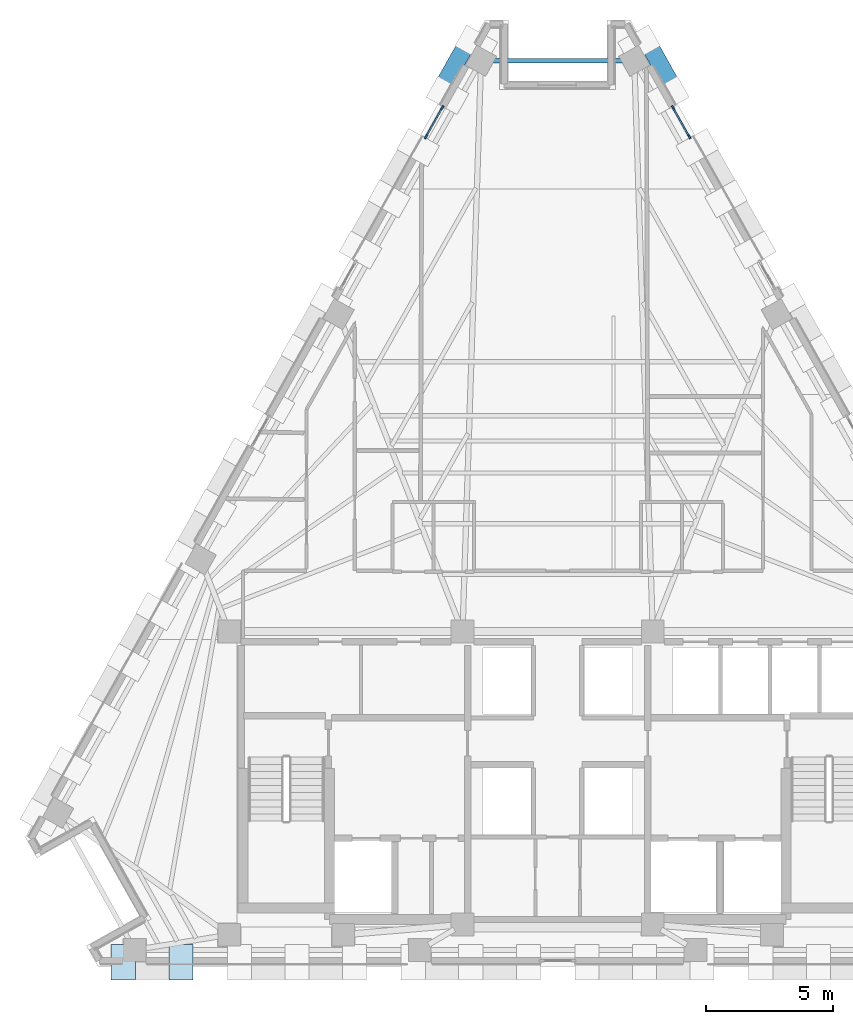
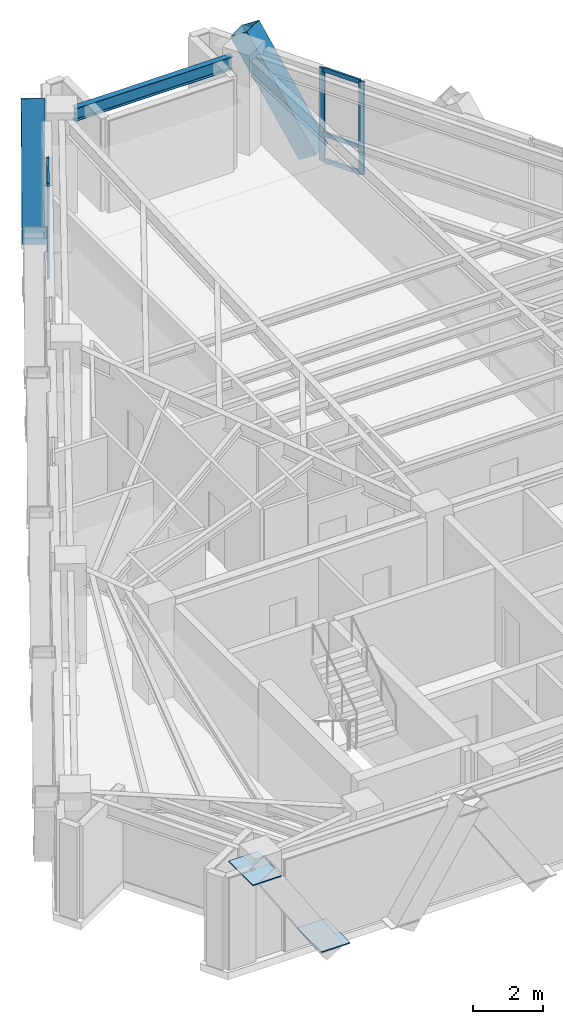
# One storey, part 5 of 12: 12 members, 2 plates, 1 beam, 2 elements without a shape of their own.
"""IFC4 building model written with IfcOpenShell, lengths in metres."""

from ifc_helpers import new_model, si_unit, direction, frame, origin, origin_2d, place, context, subcontext, project, spatial, rectangle, hollow_rectangle, i_section, extrude, material, layer, layer_set, material_profile, profile_set, type_object, element, aggregate, save


model = new_model("IFC4")

# Units and contexts
model_context = context("Model", 3, precision=1e-05, world=origin(), true_north=direction((0.0, 1.0)))
body_context = subcontext(model_context, "Body", "Model", "MODEL_VIEW")
ifc_project = project(units=[si_unit("LENGTHUNIT", "METRE"), si_unit("AREAUNIT", "SQUARE_METRE"), si_unit("VOLUMEUNIT", "CUBIC_METRE"), si_unit("PLANEANGLEUNIT", "RADIAN"), si_unit("MASSUNIT", "GRAM", prefix="KILO")], contexts=[model_context])

# Site, building, storey
site_placement = place(None, origin())
site = spatial("IfcSite", under=ifc_project, at=site_placement, CompositionType="ELEMENT")
building_placement = place(site_placement, origin())
building = spatial("IfcBuilding", under=site, at=building_placement, Name="Quenlor Broadcast Tower", CompositionType="ELEMENT")
storey_placement = place(building_placement, frame((0.0, 0.0, 186.89990234375)))
storey = spatial("IfcBuildingStorey", under=building, at=storey_placement, Name="L51", CompositionType="ELEMENT", Elevation=186.89990234375)

# Curtain wall, members
ifc_material_1 = material(Name="Architectural Terracotta and Low-E Glazing", Category="masonry")
curtain_wall_type = type_object("IfcCurtainWallType", Name="Unitised Terracotta Curtain Wall System Z4", PredefinedType="NOTDEFINED", material=ifc_material_1)
curtain_wall_1_placement = place(storey_placement, origin())
curtain_wall_1 = element("IfcCurtainWall", 1, at=curtain_wall_1_placement, inside=storey, type_object=curtain_wall_type, Name="L51 Curtain Wall CW4 (L51-NEA-G1)", PredefinedType="NOTDEFINED")
ifc_material_2 = material(Name="Aluminium 6063-T6", Category="aluminium")
ifc_material_profile_1 = material_profile(ifc_material_2, rectangle(XDim=0.068115234375, YDim=0.179931640625, at=origin_2d()))
ifc_profile_set_1 = profile_set([ifc_material_profile_1], Name="Aluminium 6063-T6 MULL68x180")
member_type_1 = type_object("IfcMemberType", Name="CW4 Aluminium Mullion MULL_CW4", PredefinedType="MULLION", material=ifc_profile_set_1)
member_1_placement = place(storey_placement, frame((4.550048828125, 15.85205078125, 0.0), z_axis=(0.0, 0.0, 1.0), x_axis=(0.871560008943, 0.490288844266, 0.0)))
member_1 = element("IfcMember", 2, at=member_1_placement, type_object=member_type_1, Name="CW4 mullion 1", PredefinedType="MULLION", context=body_context, shape_type="SweptSolid", body=[
    extrude(rectangle(XDim=0.068115234375, YDim=0.179931640625, at=origin_2d()), origin(), (0.0, 0.0, 1.0), 3.25),
])
member_2_placement = place(storey_placement, frame((5.19140625, 14.7119140625, 0.0), z_axis=(0.0, 0.0, 1.0), x_axis=(0.871560008943, 0.490288844266, 0.0)))
member_2 = element("IfcMember", 3, at=member_2_placement, type_object=member_type_1, Name="CW4 mullion 2", PredefinedType="MULLION", context=body_context, shape_type="SweptSolid", body=[
    extrude(rectangle(XDim=0.068115234375, YDim=0.179931640625, at=origin_2d()), origin(), (0.0, 0.0, 1.0), 3.25),
])

curtain_wall_2_placement = place(storey_placement, origin())
curtain_wall_2 = element("IfcCurtainWall", 4, at=curtain_wall_2_placement, inside=storey, type_object=curtain_wall_type, Name="L51 Curtain Wall CW4 (L51-NWC-G2)", PredefinedType="NOTDEFINED")
member_3_placement = place(storey_placement, frame((-5.19140625, 14.7119140625, 0.0), z_axis=(0.0, 0.0, 1.0), x_axis=(-0.871560008943, 0.490288844266, 0.0)))
member_3 = element("IfcMember", 5, at=member_3_placement, type_object=member_type_1, Name="CW4 mullion 1", PredefinedType="MULLION", context=body_context, shape_type="SweptSolid", body=[
    extrude(rectangle(XDim=0.068115234375, YDim=0.179931640625, at=origin_2d()), origin(), (0.0, 0.0, 1.0), 3.25),
])
member_4_placement = place(storey_placement, frame((-4.550048828125, 15.85205078125, 0.0), z_axis=(0.0, 0.0, 1.0), x_axis=(-0.871560008943, 0.490288844266, 0.0)))
member_4 = element("IfcMember", 6, at=member_4_placement, type_object=member_type_1, Name="CW4 mullion 2", PredefinedType="MULLION", context=body_context, shape_type="SweptSolid", body=[
    extrude(rectangle(XDim=0.068115234375, YDim=0.179931640625, at=origin_2d()), origin(), (0.0, 0.0, 1.0), 3.25),
])

# Member
ifc_material_3 = material(Name="Aluminium 6063-T6", Category="aluminium")
ifc_material_profile_2 = material_profile(ifc_material_3, rectangle(XDim=0.068115234375, YDim=0.14990234375, at=origin_2d()))
ifc_profile_set_2 = profile_set([ifc_material_profile_2], Name="Aluminium 6063-T6 TRAN68x150")
member_type_2 = type_object("IfcMemberType", Name="CW4 Aluminium Transom TRAN_CW4", PredefinedType="USERDEFINED", material=ifc_profile_set_2)
member_5_placement = place(storey_placement, frame((4.566650390625, 15.822265625, 0.0341796875), z_axis=(0.490317332982, -0.871543982239, 0.0), x_axis=(0.871543982239, 0.490317332982, 0.0)))
member_5 = element("IfcMember", 7, at=member_5_placement, type_object=member_type_2, Name="CW4 transom 1.1", ObjectType="TRANSOM", PredefinedType="USERDEFINED", context=body_context, shape_type="SweptSolid", body=[
    extrude(rectangle(XDim=0.068115234375, YDim=0.14990234375, at=origin_2d()), origin(), (0.0, 0.0, 1.0), 1.23974609375),
])

member_6_placement = place(storey_placement, frame((4.566650390625, 15.822265625, 0.9501953125), z_axis=(0.490317332982, -0.871543982239, 0.0), x_axis=(0.871543982239, 0.490317332982, 0.0)))
member_6 = element("IfcMember", 8, at=member_6_placement, type_object=member_type_2, Name="CW4 transom 1.2", ObjectType="TRANSOM", PredefinedType="USERDEFINED", context=body_context, shape_type="SweptSolid", body=[
    extrude(rectangle(XDim=0.068115234375, YDim=0.14990234375, at=origin_2d()), origin(), (0.0, 0.0, 1.0), 1.23974609375),
])

member_7_placement = place(storey_placement, frame((4.566650390625, 15.822265625, 3.216064453125), z_axis=(0.490317332982, -0.871543982239, 0.0), x_axis=(0.871543982239, 0.490317332982, 0.0)))
member_7 = element("IfcMember", 9, at=member_7_placement, type_object=member_type_2, Name="CW4 transom 1.3", ObjectType="TRANSOM", PredefinedType="USERDEFINED", context=body_context, shape_type="SweptSolid", body=[
    extrude(rectangle(XDim=0.068115234375, YDim=0.14990234375, at=origin_2d()), origin(), (0.0, 0.0, 1.0), 1.23974609375),
])

aggregate(curtain_wall_1, [member_1, member_2, member_5, member_6, member_7])

member_8_placement = place(storey_placement, frame((-5.174560546875, 14.74169921875, 0.0341796875), z_axis=(0.490317332982, 0.871543982239, 0.0), x_axis=(-0.871543982239, 0.490317332982, 0.0)))
member_8 = element("IfcMember", 10, at=member_8_placement, type_object=member_type_2, Name="CW4 transom 1.1", ObjectType="TRANSOM", PredefinedType="USERDEFINED", context=body_context, shape_type="SweptSolid", body=[
    extrude(rectangle(XDim=0.068115234375, YDim=0.14990234375, at=origin_2d()), origin(), (0.0, 0.0, 1.0), 1.23974609375),
])

member_9_placement = place(storey_placement, frame((-5.174560546875, 14.74169921875, 0.9501953125), z_axis=(0.490317332982, 0.871543982239, 0.0), x_axis=(-0.871543982239, 0.490317332982, 0.0)))
member_9 = element("IfcMember", 11, at=member_9_placement, type_object=member_type_2, Name="CW4 transom 1.2", ObjectType="TRANSOM", PredefinedType="USERDEFINED", context=body_context, shape_type="SweptSolid", body=[
    extrude(rectangle(XDim=0.068115234375, YDim=0.14990234375, at=origin_2d()), origin(), (0.0, 0.0, 1.0), 1.23974609375),
])

member_10_placement = place(storey_placement, frame((-5.174560546875, 14.74169921875, 3.216064453125), z_axis=(0.490317332982, 0.871543982239, 0.0), x_axis=(-0.871543982239, 0.490317332982, 0.0)))
member_10 = element("IfcMember", 12, at=member_10_placement, type_object=member_type_2, Name="CW4 transom 1.3", ObjectType="TRANSOM", PredefinedType="USERDEFINED", context=body_context, shape_type="SweptSolid", body=[
    extrude(rectangle(XDim=0.068115234375, YDim=0.14990234375, at=origin_2d()), origin(), (0.0, 0.0, 1.0), 1.23974609375),
])

aggregate(curtain_wall_2, [member_3, member_4, member_8, member_9, member_10])

# Members
ifc_material_4 = material(Name="Steel S355", Category="steel")
ifc_material_profile_3 = material_profile(ifc_material_4, hollow_rectangle(XDim=0.679931640625, YDim=0.679931640625, WallThickness=0.02490234375, at=origin_2d()))
ifc_profile_set_3 = profile_set([ifc_material_profile_3], Name="Steel S355 RHS680x680x25")
member_type_3 = type_object("IfcMemberType", Name="Perimeter Diagonal Lattice Brace Z3-Z4 Steel S355 RHS680x25", PredefinedType="BRACE", material=ifc_profile_set_3)
for number, where, z_axis, x_axis, name in (
    (13, (4.63671875, 16.50390625, -0.119873046875), (-0.269539530269, 0.479181387144, 0.835304519224), (-0.871575537125, -0.490261239633, 0.0), "L51 Perimeter Diamond Lattice NE-C1B"),
    (14, (-4.63671875, 16.50390625, -0.119873046875), (0.269539530269, 0.479181387144, 0.835304519224), (-0.871575537125, 0.490261239633, 0.0), "L51 Perimeter Diamond Lattice NW-C5S"),
):
    element("IfcMember", number, at=place(storey_placement, frame(where, z_axis=z_axis, x_axis=x_axis)), inside=storey, type_object=member_type_3, Name=name, PredefinedType="BRACE", context=body_context, shape_type="SweptSolid", body=[
        extrude(hollow_rectangle(XDim=0.679931640625, YDim=0.679931640625, WallThickness=0.02490234375, at=origin_2d()), origin(), (0.0, 0.0, 1.0), 4.190185546875),
    ])

# Beam
ifc_material_5 = material(Name="Steel S355", Category="steel")
ifc_material_profile_4 = material_profile(ifc_material_5, i_section(OverallWidth=0.18994140625, OverallDepth=0.453857421875, WebThickness=0.008544921875, FlangeThickness=0.0126953125, FilletRadius=0.011474609375, at=origin_2d()))
ifc_profile_set_4 = profile_set([ifc_material_profile_4], Name="Steel S355 460UB67.1")
beam_type = type_object("IfcBeamType", Name="Perimeter Spandrel Beam Z4 Steel S355 460UB67.1", PredefinedType="SPANDREL", material=ifc_profile_set_4)
beam_placement = place(storey_placement, frame((2.610595703125, 17.704345703125, 3.023193359375), z_axis=(-1.0, 0.0, 0.0), x_axis=(0.0, -1.0, 0.0)))
element("IfcBeam", 15, at=beam_placement, inside=storey, type_object=beam_type, Name="L51 Spandrel Beam NE4-NW1", PredefinedType="SPANDREL", context=body_context, shape_type="SweptSolid", body=[
    extrude(i_section(OverallWidth=0.18994140625, OverallDepth=0.453857421875, WebThickness=0.008544921875, FlangeThickness=0.0126953125, FilletRadius=0.011474609375, at=origin_2d()), origin(), (0.0, 0.0, 1.0), 5.22119140625),
])

# Plates
ifc_material_6 = material(Name="Steel S355", Category="steel")
ifc_layer = layer(ifc_material_6, 0.035888671875)
ifc_layer_set = layer_set([ifc_layer], Name="Transfer Truss Steel S355 Gusset Node Plate 1400x950x36")
plate_type = type_object("IfcPlateType", Name="Transfer Truss Steel S355 Gusset Node Plate 1400x950x36", PredefinedType="SHEET", material=ifc_layer_set)
for number, where, z_axis, x_axis, name in (
    (16, (-14.856201171875, -17.8349609375, 0.0419921875), (0.0, 0.0, 1.0), (0.0, -1.0, 0.0), "L51 Lattice Tie Gusset Node S-B14"),
    (17, (-17.1259765625, -17.8349609375, 3.18212890625), (0.0, 0.0, 1.0), (0.0, -1.0, 0.0), "L51 Lattice Tie Gusset Node S-T15"),
):
    element("IfcPlate", number, at=place(storey_placement, frame(where, z_axis=z_axis, x_axis=x_axis)), inside=storey, type_object=plate_type, Name=name, PredefinedType="SHEET", context=body_context, shape_type="SweptSolid", body=[
        extrude(rectangle(XDim=1.39990234375, YDim=0.949951171875, at=origin_2d()), origin(), (0.0, 0.0, 1.0), 0.035888671875),
    ])

save(model, "model.ifc")
